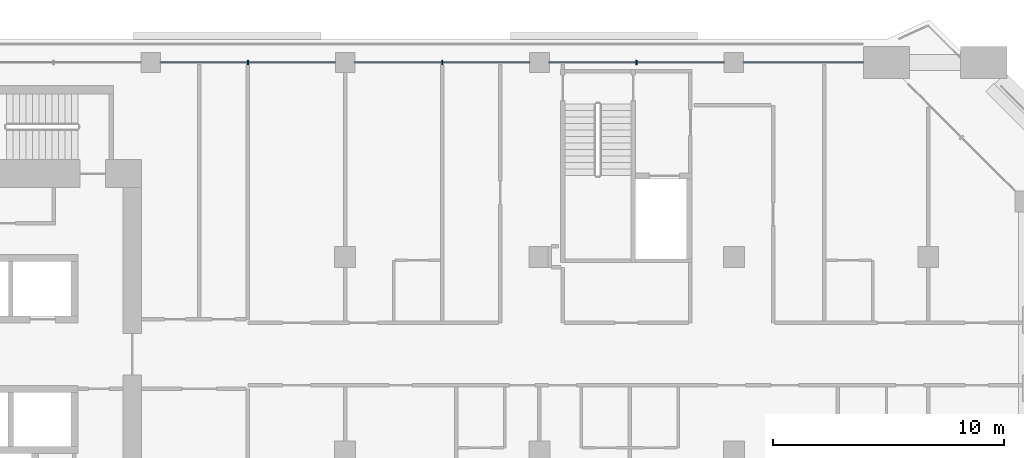
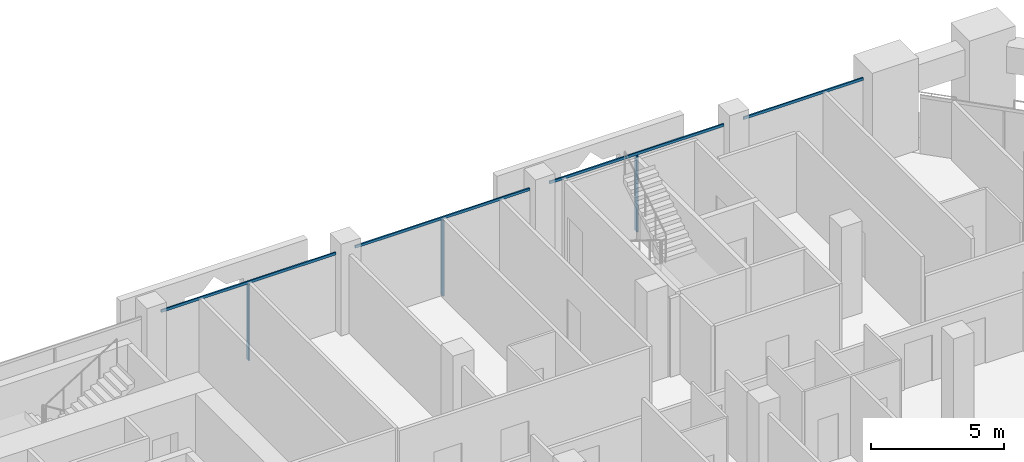
# One storey, part 6 of 21: 7 members, 1 element without a shape of its own.
"""IFC4 building model written with IfcOpenShell, lengths in metres."""

from ifc_helpers import new_model, si_unit, direction, frame, origin, origin_2d, place, context, subcontext, project, spatial, rectangle, extrude, material, layer, layer_set, material_profile, profile_set, type_object, element, aggregate, save


model = new_model("IFC4")

# Units and contexts
model_context = context("Model", 3, precision=1e-05, world=origin(), true_north=direction((0.0, 1.0)))
body_context = subcontext(model_context, "Body", "Model", "MODEL_VIEW")
ifc_project = project(units=[si_unit("LENGTHUNIT", "METRE"), si_unit("AREAUNIT", "SQUARE_METRE"), si_unit("VOLUMEUNIT", "CUBIC_METRE"), si_unit("PLANEANGLEUNIT", "RADIAN"), si_unit("MASSUNIT", "GRAM", prefix="KILO")], contexts=[model_context])

# Site, building, storey
site_placement = place(None, origin())
site = spatial("IfcSite", under=ifc_project, at=site_placement, CompositionType="ELEMENT")
building_placement = place(site_placement, origin())
building = spatial("IfcBuilding", under=site, at=building_placement, Name="Kawkab Arch Medical Tower", CompositionType="ELEMENT")
storey_placement = place(building_placement, frame((0.0, 0.0, 230.60009765625)))
storey = spatial("IfcBuildingStorey", under=building, at=storey_placement, Name="L53", CompositionType="ELEMENT", Elevation=230.60009765625)

# Curtain wall, members
ifc_material_1 = material(Name="Bronze anodised aluminium curtain wall frame", Category="aluminium")
ifc_layer = layer(ifc_material_1, 0.159912109375)
ifc_layer_set = layer_set([ifc_layer], Name="Bronze anodised aluminium curtain wall frame")
curtain_wall_type = type_object("IfcCurtainWallType", Name="CW1 ward curtain wall", PredefinedType="NOTDEFINED", material=ifc_layer_set)
curtain_wall_placement = place(storey_placement, origin())
curtain_wall = element("IfcCurtainWall", 1, at=curtain_wall_placement, inside=storey, type_object=curtain_wall_type, Name="CW1 Ward curtain wall R11", PredefinedType="NOTDEFINED")
ifc_material_2 = material(Name="Bronze anodised aluminium curtain wall frame", Category="aluminium")
ifc_material_profile_1 = material_profile(ifc_material_2, rectangle(XDim=0.179931640625, YDim=0.06005859375, at=origin_2d()), Name="AL 60x180")
ifc_profile_set_1 = profile_set([ifc_material_profile_1], Name="Bronze anodised aluminium curtain wall frame")
member_type_1 = type_object("IfcMemberType", Name="CW1 mullion 60 x 180", PredefinedType="MULLION", material=ifc_profile_set_1)
member_1_placement = place(storey_placement, frame((46.199951171875, 0.0, 0.0), z_axis=(0.0, 0.0, 1.0), x_axis=(0.0, -1.0, 0.0)))
member_1 = element("IfcMember", 2, at=member_1_placement, type_object=member_type_1, Name="CW1 mullion 2.1", PredefinedType="MULLION", context=body_context, shape_type="SweptSolid", body=[
    extrude(rectangle(XDim=0.179931640625, YDim=0.06005859375, at=origin_2d()), origin(), (0.0, 0.0, 1.0), 3.47998046875),
])
member_2_placement = place(storey_placement, frame((37.800048828125, 0.0, 0.0), z_axis=(0.0, 0.0, 1.0), x_axis=(0.0, -1.0, 0.0)))
member_2 = element("IfcMember", 3, at=member_2_placement, type_object=member_type_1, Name="CW1 mullion 3.1", PredefinedType="MULLION", context=body_context, shape_type="SweptSolid", body=[
    extrude(rectangle(XDim=0.179931640625, YDim=0.06005859375, at=origin_2d()), origin(), (0.0, 0.0, 1.0), 3.47998046875),
])
member_3_placement = place(storey_placement, frame((29.39990234375, 0.0, 0.0), z_axis=(0.0, 0.0, 1.0), x_axis=(0.0, -1.0, 0.0)))
member_3 = element("IfcMember", 4, at=member_3_placement, type_object=member_type_1, Name="CW1 mullion 4.1", PredefinedType="MULLION", context=body_context, shape_type="SweptSolid", body=[
    extrude(rectangle(XDim=0.179931640625, YDim=0.06005859375, at=origin_2d()), origin(), (0.0, 0.0, 1.0), 3.47998046875),
])
ifc_material_3 = material(Name="Bronze anodised aluminium curtain wall frame", Category="aluminium")
ifc_material_profile_2 = material_profile(ifc_material_3, rectangle(XDim=0.06005859375, YDim=0.1201171875, at=origin_2d()), Name="AL 60x120")
ifc_profile_set_2 = profile_set([ifc_material_profile_2], Name="Bronze anodised aluminium curtain wall frame")
member_type_2 = type_object("IfcMemberType", Name="CW1 transom 120 x 60", PredefinedType="USERDEFINED", material=ifc_profile_set_2)
member_4_placement = place(storey_placement, frame((56.0, 0.0, 3.539794921875), z_axis=(-1.0, 0.0, 0.0), x_axis=(0.0, -1.0, 0.0)))
member_4 = element("IfcMember", 5, at=member_4_placement, type_object=member_type_2, Name="CW1 transom 1", ObjectType="TRANSOM", PredefinedType="USERDEFINED", context=body_context, shape_type="SweptSolid", body=[
    extrude(rectangle(XDim=0.06005859375, YDim=0.1201171875, at=origin_2d()), origin(), (0.0, 0.0, 1.0), 5.175048828125),
])
member_5_placement = place(storey_placement, frame((49.97509765625, 0.0, 3.539794921875), z_axis=(-1.0, 0.0, 0.0), x_axis=(0.0, -1.0, 0.0)))
member_5 = element("IfcMember", 6, at=member_5_placement, type_object=member_type_2, Name="CW1 transom 2", ObjectType="TRANSOM", PredefinedType="USERDEFINED", context=body_context, shape_type="SweptSolid", body=[
    extrude(rectangle(XDim=0.06005859375, YDim=0.1201171875, at=origin_2d()), origin(), (0.0, 0.0, 1.0), 7.550048828125),
])
member_6_placement = place(storey_placement, frame((41.574951171875, 0.0, 3.539794921875), z_axis=(-1.0, 0.0, 0.0), x_axis=(0.0, -1.0, 0.0)))
member_6 = element("IfcMember", 7, at=member_6_placement, type_object=member_type_2, Name="CW1 transom 3", ObjectType="TRANSOM", PredefinedType="USERDEFINED", context=body_context, shape_type="SweptSolid", body=[
    extrude(rectangle(XDim=0.06005859375, YDim=0.1201171875, at=origin_2d()), origin(), (0.0, 0.0, 1.0), 7.550048828125),
])
member_7_placement = place(storey_placement, frame((33.175048828125, 0.0, 3.539794921875), z_axis=(-1.0, 0.0, 0.0), x_axis=(0.0, -1.0, 0.0)))
member_7 = element("IfcMember", 8, at=member_7_placement, type_object=member_type_2, Name="CW1 transom 4", ObjectType="TRANSOM", PredefinedType="USERDEFINED", context=body_context, shape_type="SweptSolid", body=[
    extrude(rectangle(XDim=0.06005859375, YDim=0.1201171875, at=origin_2d()), origin(), (0.0, 0.0, 1.0), 7.550048828125),
])
aggregate(curtain_wall, [member_4, member_5, member_1, member_6, member_2, member_7, member_3])

save(model, "model.ifc")
